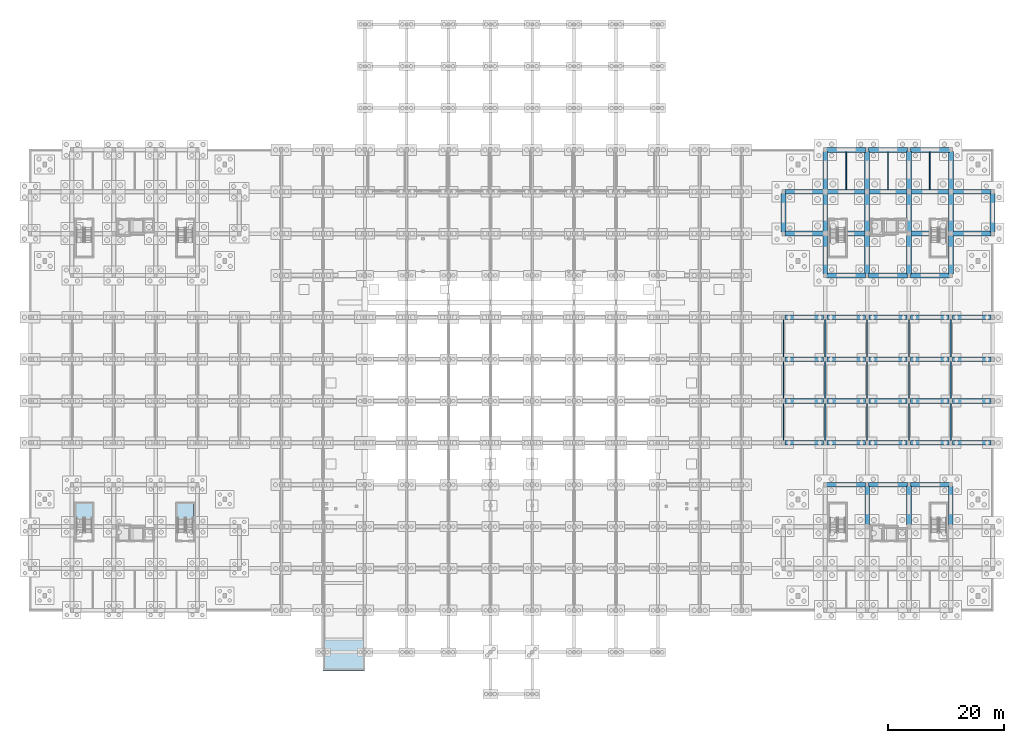
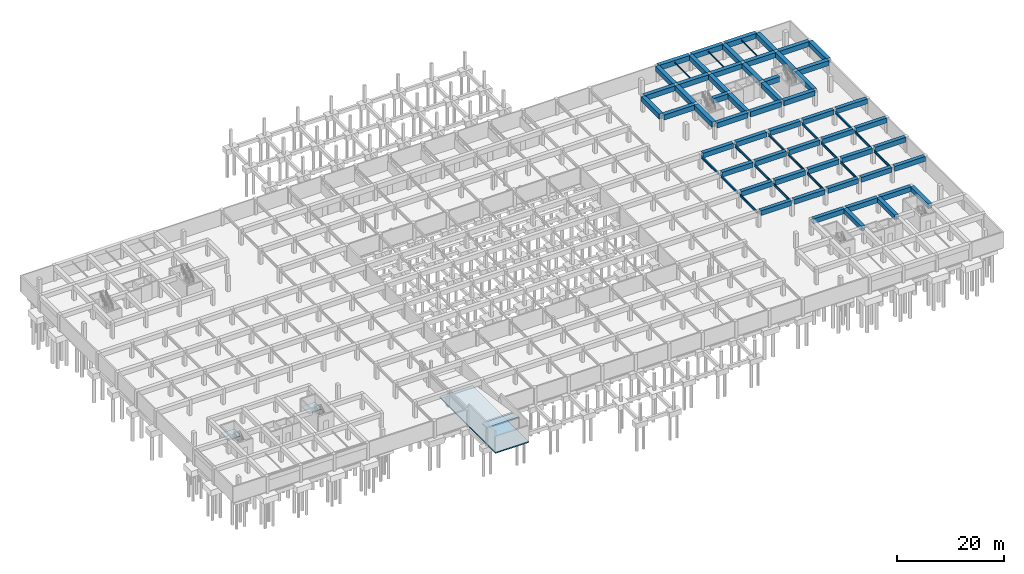
# One storey, part 22 of 36: 73 beams, 4 slabs, 2 elements without a shape of their own.
"""IFC4 building model written with IfcOpenShell, lengths in metres."""

from ifc_helpers import new_model, si_unit, direction, frame, origin, origin_2d, place, context, subcontext, project, spatial, polyline, rectangle, i_section, outline, extrude, material, layer, layer_set, material_profile, profile_set, type_object, element, aggregate, save


model = new_model("IFC4")

# Units and contexts
model_context = context("Model", 3, precision=1e-05, world=origin(), true_north=direction((0.0, 1.0)))
body_context = subcontext(model_context, "Body", "Model", "MODEL_VIEW")
ifc_project = project(units=[si_unit("LENGTHUNIT", "METRE"), si_unit("AREAUNIT", "SQUARE_METRE"), si_unit("VOLUMEUNIT", "CUBIC_METRE"), si_unit("PLANEANGLEUNIT", "RADIAN"), si_unit("MASSUNIT", "GRAM", prefix="KILO")], contexts=[model_context])

# Site, building, storey
site_placement = place(None, origin())
site = spatial("IfcSite", under=ifc_project, at=site_placement, CompositionType="ELEMENT")
building_placement = place(site_placement, origin())
building = spatial("IfcBuilding", under=site, at=building_placement, Name="Ochrevale Crest", CompositionType="ELEMENT")
storey_placement = place(building_placement, frame((0.0, 0.0, -3.60009765625)))
storey = spatial("IfcBuildingStorey", under=building, at=storey_placement, Name="B1", CompositionType="ELEMENT", Elevation=-3.60009765625)

# Beams
ifc_material_1 = material(Name="Concrete C50/60", Category="concrete")
ifc_material_profile_1 = material_profile(ifc_material_1, rectangle(XDim=0.800048828125, YDim=1.10009765625, at=origin_2d()), Name="RC 800x1100")
ifc_profile_set_1 = profile_set([ifc_material_profile_1], Name="Concrete C50/60")
beam_type_1 = type_object("IfcBeamType", Name="BM-TG800x1100", PredefinedType="USERDEFINED", material=ifc_profile_set_1)
for number, where, z_axis, x_axis, name in (
    (1, (137.050048828125, 36.0, 3.050048828125), (1.0, 0.0, 0.0), (0.0, 1.0, 0.0), "Block C B1 E-W beam Y=36.0"),
    (2, (144.25, 36.0, 3.050048828125), (1.0, 0.0, 0.0), (0.0, 1.0, 0.0), "Block C B1 E-W beam Y=36.0"),
    (3, (151.449951171875, 36.0, 3.050048828125), (1.0, 0.0, 0.0), (0.0, 1.0, 0.0), "Block C B1 E-W beam Y=36.0"),
):
    element("IfcBeam", number, at=place(storey_placement, frame(where, z_axis=z_axis, x_axis=x_axis)), inside=storey, type_object=beam_type_1, Name=name, ObjectType="GIRDER", PredefinedType="USERDEFINED", context=body_context, shape_type="SweptSolid", body=[
        extrude(rectangle(XDim=0.800048828125, YDim=1.10009765625, at=origin_2d()), origin(), (0.0, 0.0, 1.0), 6.699951171875),
    ])
for number, where, z_axis, x_axis, name in (
    (4, (144.0, 29.10498046875, 3.050048828125), (0.0, 1.0, 0.0), (-1.0, 0.0, 0.0), "Block C B1 N-S beam X=144.0"),
    (5, (151.199951171875, 29.10498046875, 3.050048828125), (0.0, 1.0, 0.0), (-1.0, 0.0, 0.0), "Block C B1 N-S beam X=151.2"),
    (6, (158.39990234375, 29.10498046875, 3.050048828125), (0.0, 1.0, 0.0), (-1.0, 0.0, 0.0), "Block C B1 N-S beam X=158.4"),
):
    element("IfcBeam", number, at=place(storey_placement, frame(where, z_axis=z_axis, x_axis=x_axis)), inside=storey, type_object=beam_type_1, Name=name, ObjectType="GIRDER", PredefinedType="USERDEFINED", context=body_context, shape_type="SweptSolid", body=[
        extrude(rectangle(XDim=0.800048828125, YDim=1.10009765625, at=origin_2d()), origin(), (0.0, 0.0, 1.0), 6.64013671875),
    ])
for number, where, z_axis, x_axis, name in (
    (7, (129.89501953125, 43.199951171875, 3.050048828125), (1.0, 0.0, 0.0), (0.0, 1.0, 0.0), "B1 podium primary girder (129.6,43.2)"),
    (8, (129.89501953125, 50.39990234375, 3.050048828125), (1.0, 0.0, 0.0), (0.0, 1.0, 0.0), "B1 podium primary girder (129.6,50.4)"),
    (9, (129.89501953125, 57.60009765625, 3.050048828125), (1.0, 0.0, 0.0), (0.0, 1.0, 0.0), "B1 podium primary girder (129.6,57.6)"),
    (10, (129.89501953125, 64.800048828125, 3.050048828125), (1.0, 0.0, 0.0), (0.0, 1.0, 0.0), "B1 podium primary girder (129.6,64.8)"),
):
    element("IfcBeam", number, at=place(storey_placement, frame(where, z_axis=z_axis, x_axis=x_axis)), inside=storey, type_object=beam_type_1, Name=name, ObjectType="GIRDER", PredefinedType="USERDEFINED", context=body_context, shape_type="SweptSolid", body=[
        extrude(rectangle(XDim=0.800048828125, YDim=1.10009765625, at=origin_2d()), origin(), (0.0, 0.0, 1.0), 6.60986328125),
    ])
for number, where, z_axis, x_axis, name in (
    (11, (137.094970703125, 43.199951171875, 3.050048828125), (1.0, 0.0, 0.0), (0.0, 1.0, 0.0), "B1 podium primary girder (136.8,43.2)"),
    (12, (137.094970703125, 50.39990234375, 3.050048828125), (1.0, 0.0, 0.0), (0.0, 1.0, 0.0), "B1 podium primary girder (136.8,50.4)"),
    (13, (137.094970703125, 57.60009765625, 3.050048828125), (1.0, 0.0, 0.0), (0.0, 1.0, 0.0), "B1 podium primary girder (136.8,57.6)"),
    (14, (137.094970703125, 64.800048828125, 3.050048828125), (1.0, 0.0, 0.0), (0.0, 1.0, 0.0), "B1 podium primary girder (136.8,64.8)"),
    (15, (144.294921875, 43.199951171875, 3.050048828125), (1.0, 0.0, 0.0), (0.0, 1.0, 0.0), "B1 podium primary girder (144.0,43.2)"),
    (16, (144.294921875, 50.39990234375, 3.050048828125), (1.0, 0.0, 0.0), (0.0, 1.0, 0.0), "B1 podium primary girder (144.0,50.4)"),
    (17, (144.294921875, 57.60009765625, 3.050048828125), (1.0, 0.0, 0.0), (0.0, 1.0, 0.0), "B1 podium primary girder (144.0,57.6)"),
    (18, (144.294921875, 64.800048828125, 3.050048828125), (1.0, 0.0, 0.0), (0.0, 1.0, 0.0), "B1 podium primary girder (144.0,64.8)"),
):
    element("IfcBeam", number, at=place(storey_placement, frame(where, z_axis=z_axis, x_axis=x_axis)), inside=storey, type_object=beam_type_1, Name=name, ObjectType="GIRDER", PredefinedType="USERDEFINED", context=body_context, shape_type="SweptSolid", body=[
        extrude(rectangle(XDim=0.800048828125, YDim=1.10009765625, at=origin_2d()), origin(), (0.0, 0.0, 1.0), 6.610107421875),
    ])
for number, where, z_axis, x_axis, name in (
    (19, (151.4951171875, 43.199951171875, 3.050048828125), (1.0, 0.0, 0.0), (0.0, 1.0, 0.0), "B1 podium primary girder (151.2,43.2)"),
    (20, (151.4951171875, 50.39990234375, 3.050048828125), (1.0, 0.0, 0.0), (0.0, 1.0, 0.0), "B1 podium primary girder (151.2,50.4)"),
    (21, (151.4951171875, 57.60009765625, 3.050048828125), (1.0, 0.0, 0.0), (0.0, 1.0, 0.0), "B1 podium primary girder (151.2,57.6)"),
    (22, (151.4951171875, 64.800048828125, 3.050048828125), (1.0, 0.0, 0.0), (0.0, 1.0, 0.0), "B1 podium primary girder (151.2,64.8)"),
    (23, (158.695068359375, 43.199951171875, 3.050048828125), (1.0, 0.0, 0.0), (0.0, 1.0, 0.0), "B1 podium primary girder (158.4,43.2)"),
    (24, (158.695068359375, 50.39990234375, 3.050048828125), (1.0, 0.0, 0.0), (0.0, 1.0, 0.0), "B1 podium primary girder (158.4,50.4)"),
    (25, (158.695068359375, 57.60009765625, 3.050048828125), (1.0, 0.0, 0.0), (0.0, 1.0, 0.0), "B1 podium primary girder (158.4,57.6)"),
    (26, (158.695068359375, 64.800048828125, 3.050048828125), (1.0, 0.0, 0.0), (0.0, 1.0, 0.0), "B1 podium primary girder (158.4,64.8)"),
):
    element("IfcBeam", number, at=place(storey_placement, frame(where, z_axis=z_axis, x_axis=x_axis)), inside=storey, type_object=beam_type_1, Name=name, ObjectType="GIRDER", PredefinedType="USERDEFINED", context=body_context, shape_type="SweptSolid", body=[
        extrude(rectangle(XDim=0.800048828125, YDim=1.10009765625, at=origin_2d()), origin(), (0.0, 0.0, 1.0), 6.60986328125),
    ])
ifc_material_profile_2 = material_profile(ifc_material_1, rectangle(XDim=0.85009765625, YDim=1.14990234375, at=origin_2d()), Name="RC 850x1150")
ifc_profile_set_2 = profile_set([ifc_material_profile_2], Name="Concrete C50/60")
beam_type_2 = type_object("IfcBeamType", Name="BM-TG850x1150", PredefinedType="USERDEFINED", material=ifc_profile_set_2)
for number, where, z_axis, x_axis, name in (
    (27, (137.050048828125, 72.0, 3.025146484375), (1.0, 0.0, 0.0), (0.0, 1.0, 0.0), "Block D B1 E-W beam Y=72.0"),
    (28, (144.25, 72.0, 3.025146484375), (1.0, 0.0, 0.0), (0.0, 1.0, 0.0), "Block D B1 E-W beam Y=72.0"),
    (29, (151.449951171875, 72.0, 3.025146484375), (1.0, 0.0, 0.0), (0.0, 1.0, 0.0), "Block D B1 E-W beam Y=72.0"),
):
    element("IfcBeam", number, at=place(storey_placement, frame(where, z_axis=z_axis, x_axis=x_axis)), inside=storey, type_object=beam_type_2, Name=name, ObjectType="GIRDER", PredefinedType="USERDEFINED", context=body_context, shape_type="SweptSolid", body=[
        extrude(rectangle(XDim=0.85009765625, YDim=1.14990234375, at=origin_2d()), origin(), (0.0, 0.0, 1.0), 6.699951171875),
    ])
beam_1_placement = place(storey_placement, frame((129.85009765625, 79.199951171875, 3.025146484375), z_axis=(1.0, 0.0, 0.0), x_axis=(0.0, 1.0, 0.0)))
element("IfcBeam", 30, at=beam_1_placement, inside=storey, type_object=beam_type_2, Name="Block D B1 E-W beam Y=79.2", ObjectType="GIRDER", PredefinedType="USERDEFINED", context=body_context, shape_type="SweptSolid", body=[
    extrude(rectangle(XDim=0.85009765625, YDim=1.14990234375, at=origin_2d()), origin(), (0.0, 0.0, 1.0), 6.625),
])
beam_2_placement = place(storey_placement, frame((140.489990234375, 79.199951171875, 3.025146484375), z_axis=(1.0, 0.0, 0.0), x_axis=(0.0, 1.0, 0.0)))
element("IfcBeam", 31, at=beam_2_placement, inside=storey, type_object=beam_type_2, Name="Block D B1 E-W beam Y=79.2", ObjectType="GIRDER", PredefinedType="USERDEFINED", context=body_context, shape_type="SweptSolid", body=[
    extrude(rectangle(XDim=0.85009765625, YDim=1.14990234375, at=origin_2d()), origin(), (0.0, 0.0, 1.0), 3.18505859375),
])
beam_3_placement = place(storey_placement, frame((151.52490234375, 79.199951171875, 3.025146484375), z_axis=(1.0, 0.0, 0.0), x_axis=(0.0, 1.0, 0.0)))
element("IfcBeam", 32, at=beam_3_placement, inside=storey, type_object=beam_type_2, Name="Block D B1 E-W beam Y=79.2", ObjectType="GIRDER", PredefinedType="USERDEFINED", context=body_context, shape_type="SweptSolid", body=[
    extrude(rectangle(XDim=0.85009765625, YDim=1.14990234375, at=origin_2d()), origin(), (0.0, 0.0, 1.0), 3.235107421875),
])
for number, where, z_axis, x_axis, name in (
    (33, (158.72509765625, 79.199951171875, 3.025146484375), (1.0, 0.0, 0.0), (0.0, 1.0, 0.0), "Block D B1 E-W beam Y=79.2"),
    (34, (129.85009765625, 86.39990234375, 3.025146484375), (1.0, 0.0, 0.0), (0.0, 1.0, 0.0), "Block D B1 E-W beam Y=86.4"),
):
    element("IfcBeam", number, at=place(storey_placement, frame(where, z_axis=z_axis, x_axis=x_axis)), inside=storey, type_object=beam_type_2, Name=name, ObjectType="GIRDER", PredefinedType="USERDEFINED", context=body_context, shape_type="SweptSolid", body=[
        extrude(rectangle(XDim=0.85009765625, YDim=1.14990234375, at=origin_2d()), origin(), (0.0, 0.0, 1.0), 6.625),
    ])
for number, where, z_axis, x_axis, name in (
    (35, (137.125, 86.39990234375, 3.025146484375), (1.0, 0.0, 0.0), (0.0, 1.0, 0.0), "Block D B1 E-W beam Y=86.4"),
    (36, (144.324951171875, 86.39990234375, 3.025146484375), (1.0, 0.0, 0.0), (0.0, 1.0, 0.0), "Block D B1 E-W beam Y=86.4"),
    (37, (151.52490234375, 86.39990234375, 3.025146484375), (1.0, 0.0, 0.0), (0.0, 1.0, 0.0), "Block D B1 E-W beam Y=86.4"),
):
    element("IfcBeam", number, at=place(storey_placement, frame(where, z_axis=z_axis, x_axis=x_axis)), inside=storey, type_object=beam_type_2, Name=name, ObjectType="GIRDER", PredefinedType="USERDEFINED", context=body_context, shape_type="SweptSolid", body=[
        extrude(rectangle(XDim=0.85009765625, YDim=1.14990234375, at=origin_2d()), origin(), (0.0, 0.0, 1.0), 6.550048828125),
    ])
beam_4_placement = place(storey_placement, frame((158.72509765625, 86.39990234375, 3.025146484375), z_axis=(1.0, 0.0, 0.0), x_axis=(0.0, 1.0, 0.0)))
element("IfcBeam", 38, at=beam_4_placement, inside=storey, type_object=beam_type_2, Name="Block D B1 E-W beam Y=86.4", ObjectType="GIRDER", PredefinedType="USERDEFINED", context=body_context, shape_type="SweptSolid", body=[
    extrude(rectangle(XDim=0.85009765625, YDim=1.14990234375, at=origin_2d()), origin(), (0.0, 0.0, 1.0), 6.625),
])
for number, where, z_axis, x_axis, name in (
    (39, (137.050048828125, 93.60009765625, 3.025146484375), (1.0, 0.0, 0.0), (0.0, 1.0, 0.0), "Block D B1 E-W beam Y=93.6"),
    (40, (144.25, 93.60009765625, 3.025146484375), (1.0, 0.0, 0.0), (0.0, 1.0, 0.0), "Block D B1 E-W beam Y=93.6"),
    (41, (151.449951171875, 93.60009765625, 3.025146484375), (1.0, 0.0, 0.0), (0.0, 1.0, 0.0), "Block D B1 E-W beam Y=93.6"),
):
    element("IfcBeam", number, at=place(storey_placement, frame(where, z_axis=z_axis, x_axis=x_axis)), inside=storey, type_object=beam_type_2, Name=name, ObjectType="GIRDER", PredefinedType="USERDEFINED", context=body_context, shape_type="SweptSolid", body=[
        extrude(rectangle(XDim=0.85009765625, YDim=1.14990234375, at=origin_2d()), origin(), (0.0, 0.0, 1.0), 6.699951171875),
    ])
beam_5_placement = place(storey_placement, frame((129.60009765625, 79.455078125, 3.025146484375), z_axis=(0.0, 1.0, 0.0), x_axis=(-1.0, 0.0, 0.0)))
element("IfcBeam", 42, at=beam_5_placement, inside=storey, type_object=beam_type_2, Name="Block D B1 N-S beam X=129.6", ObjectType="GIRDER", PredefinedType="USERDEFINED", context=body_context, shape_type="SweptSolid", body=[
    extrude(rectangle(XDim=0.85009765625, YDim=1.14990234375, at=origin_2d()), origin(), (0.0, 0.0, 1.0), 6.68994140625),
])
beam_6_placement = place(storey_placement, frame((136.800048828125, 72.2548828125, 3.025146484375), z_axis=(0.0, 1.0, 0.0), x_axis=(-1.0, 0.0, 0.0)))
element("IfcBeam", 43, at=beam_6_placement, inside=storey, type_object=beam_type_2, Name="Block D B1 N-S beam X=136.8", ObjectType="GIRDER", PredefinedType="USERDEFINED", context=body_context, shape_type="SweptSolid", body=[
    extrude(rectangle(XDim=0.85009765625, YDim=1.14990234375, at=origin_2d()), origin(), (0.0, 0.0, 1.0), 6.615234375),
])
beam_7_placement = place(storey_placement, frame((136.800048828125, 79.530029296875, 3.025146484375), z_axis=(0.0, 1.0, 0.0), x_axis=(-1.0, 0.0, 0.0)))
element("IfcBeam", 44, at=beam_7_placement, inside=storey, type_object=beam_type_2, Name="Block D B1 N-S beam X=136.8", ObjectType="GIRDER", PredefinedType="USERDEFINED", context=body_context, shape_type="SweptSolid", body=[
    extrude(rectangle(XDim=0.85009765625, YDim=1.14990234375, at=origin_2d()), origin(), (0.0, 0.0, 1.0), 6.5400390625),
])
beam_8_placement = place(storey_placement, frame((136.800048828125, 86.72998046875, 3.025146484375), z_axis=(0.0, 1.0, 0.0), x_axis=(-1.0, 0.0, 0.0)))
element("IfcBeam", 45, at=beam_8_placement, inside=storey, type_object=beam_type_2, Name="Block D B1 N-S beam X=136.8", ObjectType="GIRDER", PredefinedType="USERDEFINED", context=body_context, shape_type="SweptSolid", body=[
    extrude(rectangle(XDim=0.85009765625, YDim=1.14990234375, at=origin_2d()), origin(), (0.0, 0.0, 1.0), 6.614990234375),
])
beam_9_placement = place(storey_placement, frame((144.0, 72.2548828125, 3.025146484375), z_axis=(0.0, 1.0, 0.0), x_axis=(-1.0, 0.0, 0.0)))
element("IfcBeam", 46, at=beam_9_placement, inside=storey, type_object=beam_type_2, Name="Block D B1 N-S beam X=144.0", ObjectType="GIRDER", PredefinedType="USERDEFINED", context=body_context, shape_type="SweptSolid", body=[
    extrude(rectangle(XDim=0.85009765625, YDim=1.14990234375, at=origin_2d()), origin(), (0.0, 0.0, 1.0), 6.615234375),
])
beam_10_placement = place(storey_placement, frame((144.0, 79.530029296875, 3.025146484375), z_axis=(0.0, 1.0, 0.0), x_axis=(-1.0, 0.0, 0.0)))
element("IfcBeam", 47, at=beam_10_placement, inside=storey, type_object=beam_type_2, Name="Block D B1 N-S beam X=144.0", ObjectType="GIRDER", PredefinedType="USERDEFINED", context=body_context, shape_type="SweptSolid", body=[
    extrude(rectangle(XDim=0.85009765625, YDim=1.14990234375, at=origin_2d()), origin(), (0.0, 0.0, 1.0), 6.5400390625),
])
beam_11_placement = place(storey_placement, frame((144.0, 86.72998046875, 3.025146484375), z_axis=(0.0, 1.0, 0.0), x_axis=(-1.0, 0.0, 0.0)))
element("IfcBeam", 48, at=beam_11_placement, inside=storey, type_object=beam_type_2, Name="Block D B1 N-S beam X=144.0", ObjectType="GIRDER", PredefinedType="USERDEFINED", context=body_context, shape_type="SweptSolid", body=[
    extrude(rectangle(XDim=0.85009765625, YDim=1.14990234375, at=origin_2d()), origin(), (0.0, 0.0, 1.0), 6.614990234375),
])
beam_12_placement = place(storey_placement, frame((151.199951171875, 72.2548828125, 3.025146484375), z_axis=(0.0, 1.0, 0.0), x_axis=(-1.0, 0.0, 0.0)))
element("IfcBeam", 49, at=beam_12_placement, inside=storey, type_object=beam_type_2, Name="Block D B1 N-S beam X=151.2", ObjectType="GIRDER", PredefinedType="USERDEFINED", context=body_context, shape_type="SweptSolid", body=[
    extrude(rectangle(XDim=0.85009765625, YDim=1.14990234375, at=origin_2d()), origin(), (0.0, 0.0, 1.0), 6.615234375),
])
beam_13_placement = place(storey_placement, frame((151.199951171875, 79.530029296875, 3.025146484375), z_axis=(0.0, 1.0, 0.0), x_axis=(-1.0, 0.0, 0.0)))
element("IfcBeam", 50, at=beam_13_placement, inside=storey, type_object=beam_type_2, Name="Block D B1 N-S beam X=151.2", ObjectType="GIRDER", PredefinedType="USERDEFINED", context=body_context, shape_type="SweptSolid", body=[
    extrude(rectangle(XDim=0.85009765625, YDim=1.14990234375, at=origin_2d()), origin(), (0.0, 0.0, 1.0), 6.5400390625),
])
beam_14_placement = place(storey_placement, frame((151.199951171875, 86.72998046875, 3.025146484375), z_axis=(0.0, 1.0, 0.0), x_axis=(-1.0, 0.0, 0.0)))
element("IfcBeam", 51, at=beam_14_placement, inside=storey, type_object=beam_type_2, Name="Block D B1 N-S beam X=151.2", ObjectType="GIRDER", PredefinedType="USERDEFINED", context=body_context, shape_type="SweptSolid", body=[
    extrude(rectangle(XDim=0.85009765625, YDim=1.14990234375, at=origin_2d()), origin(), (0.0, 0.0, 1.0), 6.614990234375),
])
beam_15_placement = place(storey_placement, frame((158.39990234375, 72.2548828125, 3.025146484375), z_axis=(0.0, 1.0, 0.0), x_axis=(-1.0, 0.0, 0.0)))
element("IfcBeam", 52, at=beam_15_placement, inside=storey, type_object=beam_type_2, Name="Block D B1 N-S beam X=158.4", ObjectType="GIRDER", PredefinedType="USERDEFINED", context=body_context, shape_type="SweptSolid", body=[
    extrude(rectangle(XDim=0.85009765625, YDim=1.14990234375, at=origin_2d()), origin(), (0.0, 0.0, 1.0), 6.615234375),
])
beam_16_placement = place(storey_placement, frame((158.39990234375, 79.530029296875, 3.025146484375), z_axis=(0.0, 1.0, 0.0), x_axis=(-1.0, 0.0, 0.0)))
element("IfcBeam", 53, at=beam_16_placement, inside=storey, type_object=beam_type_2, Name="Block D B1 N-S beam X=158.4", ObjectType="GIRDER", PredefinedType="USERDEFINED", context=body_context, shape_type="SweptSolid", body=[
    extrude(rectangle(XDim=0.85009765625, YDim=1.14990234375, at=origin_2d()), origin(), (0.0, 0.0, 1.0), 6.5400390625),
])
beam_17_placement = place(storey_placement, frame((158.39990234375, 86.72998046875, 3.025146484375), z_axis=(0.0, 1.0, 0.0), x_axis=(-1.0, 0.0, 0.0)))
element("IfcBeam", 54, at=beam_17_placement, inside=storey, type_object=beam_type_2, Name="Block D B1 N-S beam X=158.4", ObjectType="GIRDER", PredefinedType="USERDEFINED", context=body_context, shape_type="SweptSolid", body=[
    extrude(rectangle(XDim=0.85009765625, YDim=1.14990234375, at=origin_2d()), origin(), (0.0, 0.0, 1.0), 6.614990234375),
])
beam_18_placement = place(storey_placement, frame((165.60009765625, 79.455078125, 3.025146484375), z_axis=(0.0, 1.0, 0.0), x_axis=(-1.0, 0.0, 0.0)))
element("IfcBeam", 55, at=beam_18_placement, inside=storey, type_object=beam_type_2, Name="Block D B1 N-S beam X=165.6", ObjectType="GIRDER", PredefinedType="USERDEFINED", context=body_context, shape_type="SweptSolid", body=[
    extrude(rectangle(XDim=0.85009765625, YDim=1.14990234375, at=origin_2d()), origin(), (0.0, 0.0, 1.0), 6.68994140625),
])
ifc_material_2 = material(Name="Steel S355", Category="steel")
ifc_material_profile_3 = material_profile(ifc_material_2, i_section(OverallWidth=0.13330078125, OverallDepth=0.203125, WebThickness=0.005859375, FlangeThickness=0.0078125, FilletRadius=0.0087890625, at=origin_2d()), Name="200UB25.4")
ifc_profile_set_3 = profile_set([ifc_material_profile_3], Name="Steel S355")
beam_type_3 = type_object("IfcBeamType", Name="BM-UB200A", PredefinedType="JOIST", material=ifc_profile_set_3)
beam_19_placement = place(storey_placement, frame((140.39990234375, 86.81298828125, 3.173583984375), z_axis=(0.0, 1.0, 0.0), x_axis=(-1.0, 0.0, 0.0)))
element("IfcBeam", 56, at=beam_19_placement, inside=storey, type_object=beam_type_3, Name="Block D B1 composite plank trimmer beam 2", PredefinedType="JOIST", context=body_context, shape_type="SweptSolid", body=[
    extrude(i_section(OverallWidth=0.13330078125, OverallDepth=0.203125, WebThickness=0.005859375, FlangeThickness=0.0078125, FilletRadius=0.0087890625, at=origin_2d()), origin(), (0.0, 0.0, 1.0), 6.3740234375),
])
ifc_material_profile_4 = material_profile(ifc_material_2, i_section(OverallWidth=0.134033203125, OverallDepth=0.20703125, WebThickness=0.00634765625, FlangeThickness=0.009521484375, FilletRadius=0.0087890625, at=origin_2d()), Name="200UB29.8")
ifc_profile_set_4 = profile_set([ifc_material_profile_4], Name="Steel S355")
beam_type_4 = type_object("IfcBeamType", Name="BM-UB200B", PredefinedType="JOIST", material=ifc_profile_set_4)
beam_20_placement = place(storey_placement, frame((147.60009765625, 86.81298828125, 3.171630859375), z_axis=(0.0, 1.0, 0.0), x_axis=(-1.0, 0.0, 0.0)))
element("IfcBeam", 57, at=beam_20_placement, inside=storey, type_object=beam_type_4, Name="Block D B1 composite plank trimmer beam 3", PredefinedType="JOIST", context=body_context, shape_type="SweptSolid", body=[
    extrude(i_section(OverallWidth=0.134033203125, OverallDepth=0.20703125, WebThickness=0.00634765625, FlangeThickness=0.009521484375, FilletRadius=0.0087890625, at=origin_2d()), origin(), (0.0, 0.0, 1.0), 6.3740234375),
])
ifc_material_profile_5 = material_profile(ifc_material_2, i_section(OverallWidth=0.14599609375, OverallDepth=0.251708984375, WebThickness=0.006103515625, FlangeThickness=0.008544921875, FilletRadius=0.0087890625, at=origin_2d()), Name="250UB31.4")
ifc_profile_set_5 = profile_set([ifc_material_profile_5], Name="Steel S355")
beam_type_5 = type_object("IfcBeamType", Name="BM-UB250A", PredefinedType="JOIST", material=ifc_profile_set_5)
beam_21_placement = place(storey_placement, frame((154.800048828125, 86.81298828125, 3.1494140625), z_axis=(0.0, 1.0, 0.0), x_axis=(-1.0, 0.0, 0.0)))
element("IfcBeam", 58, at=beam_21_placement, inside=storey, type_object=beam_type_5, Name="Block D B1 composite plank trimmer beam 4", PredefinedType="JOIST", context=body_context, shape_type="SweptSolid", body=[
    extrude(i_section(OverallWidth=0.14599609375, OverallDepth=0.251708984375, WebThickness=0.006103515625, FlangeThickness=0.008544921875, FilletRadius=0.0087890625, at=origin_2d()), origin(), (0.0, 0.0, 1.0), 6.3740234375),
])
ifc_material_profile_6 = material_profile(ifc_material_2, i_section(OverallWidth=0.208740234375, OverallDepth=0.5283203125, WebThickness=0.009521484375, FlangeThickness=0.01318359375, FilletRadius=0.013916015625, at=origin_2d()), Name="530UB82.0")
ifc_profile_set_6 = profile_set([ifc_material_profile_6], Name="Steel S355")
beam_type_6 = type_object("IfcBeamType", Name="BM-UB530", PredefinedType="USERDEFINED", material=ifc_profile_set_6)
beam_22_placement = place(storey_placement, frame((129.60009765625, 43.594970703125, 2.916015625), z_axis=(0.0, 1.0, 0.0), x_axis=(-1.0, 0.0, 0.0)))
element("IfcBeam", 59, at=beam_22_placement, inside=storey, type_object=beam_type_6, Name="B1 carpark steel girder (129.6,43.2)", ObjectType="GIRDER", PredefinedType="USERDEFINED", context=body_context, shape_type="SweptSolid", body=[
    extrude(i_section(OverallWidth=0.208740234375, OverallDepth=0.5283203125, WebThickness=0.009521484375, FlangeThickness=0.01318359375, FilletRadius=0.013916015625, at=origin_2d()), origin(), (0.0, 0.0, 1.0), 6.409912109375),
])
beam_23_placement = place(storey_placement, frame((129.60009765625, 50.794921875, 2.916015625), z_axis=(0.0, 1.0, 0.0), x_axis=(-1.0, 0.0, 0.0)))
element("IfcBeam", 60, at=beam_23_placement, inside=storey, type_object=beam_type_6, Name="B1 carpark steel girder (129.6,50.4)", ObjectType="GIRDER", PredefinedType="USERDEFINED", context=body_context, shape_type="SweptSolid", body=[
    extrude(i_section(OverallWidth=0.208740234375, OverallDepth=0.5283203125, WebThickness=0.009521484375, FlangeThickness=0.01318359375, FilletRadius=0.013916015625, at=origin_2d()), origin(), (0.0, 0.0, 1.0), 6.41015625),
])
for number, where, z_axis, x_axis, name in (
    (61, (129.60009765625, 57.9951171875, 2.916015625), (0.0, 1.0, 0.0), (-1.0, 0.0, 0.0), "B1 carpark steel girder (129.6,57.6)"),
    (62, (136.800048828125, 43.594970703125, 2.916015625), (0.0, 1.0, 0.0), (-1.0, 0.0, 0.0), "B1 carpark steel girder (136.8,43.2)"),
):
    element("IfcBeam", number, at=place(storey_placement, frame(where, z_axis=z_axis, x_axis=x_axis)), inside=storey, type_object=beam_type_6, Name=name, ObjectType="GIRDER", PredefinedType="USERDEFINED", context=body_context, shape_type="SweptSolid", body=[
        extrude(i_section(OverallWidth=0.208740234375, OverallDepth=0.5283203125, WebThickness=0.009521484375, FlangeThickness=0.01318359375, FilletRadius=0.013916015625, at=origin_2d()), origin(), (0.0, 0.0, 1.0), 6.409912109375),
    ])
beam_24_placement = place(storey_placement, frame((136.800048828125, 50.794921875, 2.916015625), z_axis=(0.0, 1.0, 0.0), x_axis=(-1.0, 0.0, 0.0)))
element("IfcBeam", 63, at=beam_24_placement, inside=storey, type_object=beam_type_6, Name="B1 carpark steel girder (136.8,50.4)", ObjectType="GIRDER", PredefinedType="USERDEFINED", context=body_context, shape_type="SweptSolid", body=[
    extrude(i_section(OverallWidth=0.208740234375, OverallDepth=0.5283203125, WebThickness=0.009521484375, FlangeThickness=0.01318359375, FilletRadius=0.013916015625, at=origin_2d()), origin(), (0.0, 0.0, 1.0), 6.41015625),
])
for number, where, z_axis, x_axis, name in (
    (64, (136.800048828125, 57.9951171875, 2.916015625), (0.0, 1.0, 0.0), (-1.0, 0.0, 0.0), "B1 carpark steel girder (136.8,57.6)"),
    (65, (144.0, 43.594970703125, 2.916015625), (0.0, 1.0, 0.0), (-1.0, 0.0, 0.0), "B1 carpark steel girder (144.0,43.2)"),
):
    element("IfcBeam", number, at=place(storey_placement, frame(where, z_axis=z_axis, x_axis=x_axis)), inside=storey, type_object=beam_type_6, Name=name, ObjectType="GIRDER", PredefinedType="USERDEFINED", context=body_context, shape_type="SweptSolid", body=[
        extrude(i_section(OverallWidth=0.208740234375, OverallDepth=0.5283203125, WebThickness=0.009521484375, FlangeThickness=0.01318359375, FilletRadius=0.013916015625, at=origin_2d()), origin(), (0.0, 0.0, 1.0), 6.409912109375),
    ])
beam_25_placement = place(storey_placement, frame((144.0, 50.794921875, 2.916015625), z_axis=(0.0, 1.0, 0.0), x_axis=(-1.0, 0.0, 0.0)))
element("IfcBeam", 66, at=beam_25_placement, inside=storey, type_object=beam_type_6, Name="B1 carpark steel girder (144.0,50.4)", ObjectType="GIRDER", PredefinedType="USERDEFINED", context=body_context, shape_type="SweptSolid", body=[
    extrude(i_section(OverallWidth=0.208740234375, OverallDepth=0.5283203125, WebThickness=0.009521484375, FlangeThickness=0.01318359375, FilletRadius=0.013916015625, at=origin_2d()), origin(), (0.0, 0.0, 1.0), 6.41015625),
])
for number, where, z_axis, x_axis, name in (
    (67, (144.0, 57.9951171875, 2.916015625), (0.0, 1.0, 0.0), (-1.0, 0.0, 0.0), "B1 carpark steel girder (144.0,57.6)"),
    (68, (151.199951171875, 43.594970703125, 2.916015625), (0.0, 1.0, 0.0), (-1.0, 0.0, 0.0), "B1 carpark steel girder (151.2,43.2)"),
):
    element("IfcBeam", number, at=place(storey_placement, frame(where, z_axis=z_axis, x_axis=x_axis)), inside=storey, type_object=beam_type_6, Name=name, ObjectType="GIRDER", PredefinedType="USERDEFINED", context=body_context, shape_type="SweptSolid", body=[
        extrude(i_section(OverallWidth=0.208740234375, OverallDepth=0.5283203125, WebThickness=0.009521484375, FlangeThickness=0.01318359375, FilletRadius=0.013916015625, at=origin_2d()), origin(), (0.0, 0.0, 1.0), 6.409912109375),
    ])
beam_26_placement = place(storey_placement, frame((151.199951171875, 50.794921875, 2.916015625), z_axis=(0.0, 1.0, 0.0), x_axis=(-1.0, 0.0, 0.0)))
element("IfcBeam", 69, at=beam_26_placement, inside=storey, type_object=beam_type_6, Name="B1 carpark steel girder (151.2,50.4)", ObjectType="GIRDER", PredefinedType="USERDEFINED", context=body_context, shape_type="SweptSolid", body=[
    extrude(i_section(OverallWidth=0.208740234375, OverallDepth=0.5283203125, WebThickness=0.009521484375, FlangeThickness=0.01318359375, FilletRadius=0.013916015625, at=origin_2d()), origin(), (0.0, 0.0, 1.0), 6.41015625),
])
for number, where, z_axis, x_axis, name in (
    (70, (151.199951171875, 57.9951171875, 2.916015625), (0.0, 1.0, 0.0), (-1.0, 0.0, 0.0), "B1 carpark steel girder (151.2,57.6)"),
    (71, (158.39990234375, 43.594970703125, 2.916015625), (0.0, 1.0, 0.0), (-1.0, 0.0, 0.0), "B1 carpark steel girder (158.4,43.2)"),
):
    element("IfcBeam", number, at=place(storey_placement, frame(where, z_axis=z_axis, x_axis=x_axis)), inside=storey, type_object=beam_type_6, Name=name, ObjectType="GIRDER", PredefinedType="USERDEFINED", context=body_context, shape_type="SweptSolid", body=[
        extrude(i_section(OverallWidth=0.208740234375, OverallDepth=0.5283203125, WebThickness=0.009521484375, FlangeThickness=0.01318359375, FilletRadius=0.013916015625, at=origin_2d()), origin(), (0.0, 0.0, 1.0), 6.409912109375),
    ])
beam_27_placement = place(storey_placement, frame((158.39990234375, 50.794921875, 2.916015625), z_axis=(0.0, 1.0, 0.0), x_axis=(-1.0, 0.0, 0.0)))
element("IfcBeam", 72, at=beam_27_placement, inside=storey, type_object=beam_type_6, Name="B1 carpark steel girder (158.4,50.4)", ObjectType="GIRDER", PredefinedType="USERDEFINED", context=body_context, shape_type="SweptSolid", body=[
    extrude(i_section(OverallWidth=0.208740234375, OverallDepth=0.5283203125, WebThickness=0.009521484375, FlangeThickness=0.01318359375, FilletRadius=0.013916015625, at=origin_2d()), origin(), (0.0, 0.0, 1.0), 6.41015625),
])
beam_28_placement = place(storey_placement, frame((158.39990234375, 57.9951171875, 2.916015625), z_axis=(0.0, 1.0, 0.0), x_axis=(-1.0, 0.0, 0.0)))
element("IfcBeam", 73, at=beam_28_placement, inside=storey, type_object=beam_type_6, Name="B1 carpark steel girder (158.4,57.6)", ObjectType="GIRDER", PredefinedType="USERDEFINED", context=body_context, shape_type="SweptSolid", body=[
    extrude(i_section(OverallWidth=0.208740234375, OverallDepth=0.5283203125, WebThickness=0.009521484375, FlangeThickness=0.01318359375, FilletRadius=0.013916015625, at=origin_2d()), origin(), (0.0, 0.0, 1.0), 6.409912109375),
])

# Slab
ifc_material_3 = material(Name="Concrete C40/50", Category="concrete")
ifc_layer_1 = layer(ifc_material_3, 0.260009765625)
ifc_layer_set_1 = layer_set([ifc_layer_1], Name="Concrete C40/50")
slab_type_1 = type_object("IfcSlabType", Name="SLB-BASE-260", PredefinedType="BASESLAB", material=ifc_layer_set_1)
slab_1_placement = place(storey_placement, frame((0.0, 0.0, -0.260009765625)))
element("IfcSlab", 74, at=slab_1_placement, inside=storey, type_object=slab_type_1, Name="B1 vehicle ramp foundation base slab", PredefinedType="BASESLAB", context=body_context, shape_type="SweptSolid", body=[
    extrude(outline(polyline([(50.39990234375, 4.0), (57.574951171875, 4.0), (57.574951171875, 25.0), (50.39990234375, 25.0), (50.39990234375, 4.0)])), origin(), (0.0, 0.0, 1.0), 0.260009765625),
])

# Stair, slab
ifc_material_4 = material(Name="Precast concrete C40/50", Category="concrete")
stair_type = type_object("IfcStairType", Name="ST-CORE-DOG", PredefinedType="HALF_TURN_STAIR", material=ifc_material_4)
stair_1_placement = place(storey_placement, origin())
stair_1 = element("IfcStair", 75, at=stair_1_placement, inside=storey, type_object=stair_type, Name="B1 Block A Fire Stair 1", PredefinedType="HALF_TURN_STAIR")
ifc_layer_2 = layer(ifc_material_4, 0.199951171875)
ifc_layer_set_2 = layer_set([ifc_layer_2], Name="Precast concrete C40/50")
slab_type_2 = type_object("IfcSlabType", Name="SLB-ST-LAND", PredefinedType="LANDING", material=ifc_layer_set_2)
slab_2_placement = place(storey_placement, frame((0.0, 0.0, 1.60009765625)))
slab_2 = element("IfcSlab", 76, at=slab_2_placement, type_object=slab_type_2, Name="ST-A1 landing 1", PredefinedType="LANDING", context=body_context, shape_type="SweptSolid", body=[
    extrude(outline(polyline([(10.72998046875, 30.215087890625), (10.72998046875, 32.804931640625), (7.919921875, 32.804931640625), (7.919921875, 30.215087890625), (10.72998046875, 30.215087890625)])), origin(), (0.0, 0.0, 1.0), 0.199951171875),
])
aggregate(stair_1, [slab_2])

stair_2_placement = place(storey_placement, origin())
stair_2 = element("IfcStair", 77, at=stair_2_placement, inside=storey, type_object=stair_type, Name="B1 Block A Fire Stair 2", PredefinedType="HALF_TURN_STAIR")
slab_3_placement = place(storey_placement, frame((0.0, 0.0, 1.60009765625)))
slab_3 = element("IfcSlab", 78, at=slab_3_placement, type_object=slab_type_2, Name="ST-A2 landing 1", PredefinedType="LANDING", context=body_context, shape_type="SweptSolid", body=[
    extrude(outline(polyline([(28.1298828125, 30.215087890625), (28.1298828125, 32.804931640625), (25.320068359375, 32.804931640625), (25.320068359375, 30.215087890625), (28.1298828125, 30.215087890625)])), origin(), (0.0, 0.0, 1.0), 0.199951171875),
])
aggregate(stair_2, [slab_3])

# Slab
ifc_layer_3 = layer(ifc_material_3, 0.280029296875)
ifc_layer_set_3 = layer_set([ifc_layer_3], Name="Concrete C40/50")
slab_type_3 = type_object("IfcSlabType", Name="SLB-VRMP-280", PredefinedType="FLOOR", material=ifc_layer_set_3)
slab_4_placement = place(storey_placement, frame((50.550048828125, 7.39990234375, 3.60009765625), z_axis=(0.0, 0.124034734589, 0.992277876714), x_axis=(1.0, 0.0, 0.0)))
element("IfcSlab", 79, at=slab_4_placement, inside=storey, type_object=slab_type_3, Name="Car park vehicle ramp upper transition structural slab", PredefinedType="FLOOR", context=body_context, shape_type="SweptSolid", body=[
    extrude(outline(polyline([(0.0, 0.0), (6.89990234375, 0.0), (6.89990234375, 2.0155644370746373), (0.0, 2.0155644370746373), (0.0, 0.0)])), origin(), (0.0, 0.0, -1.0), 0.280029296875),
])

save(model, "model.ifc")
